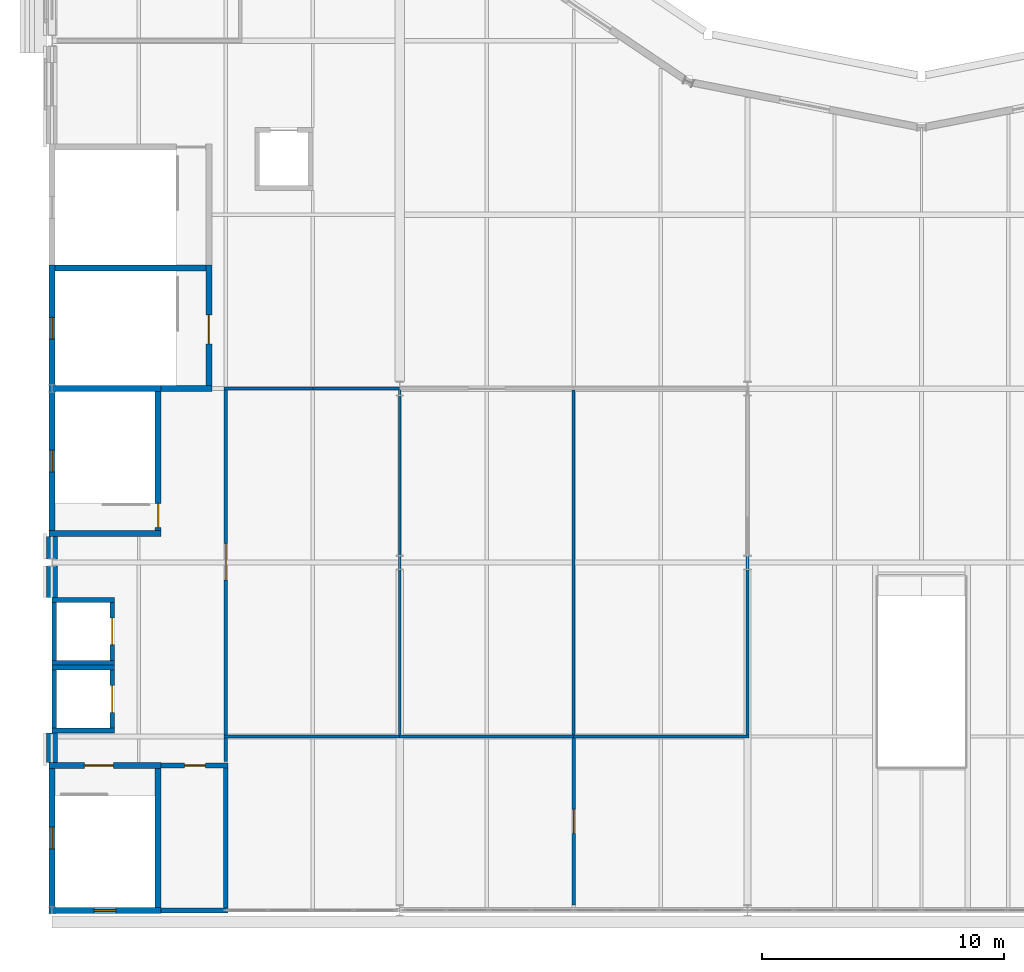
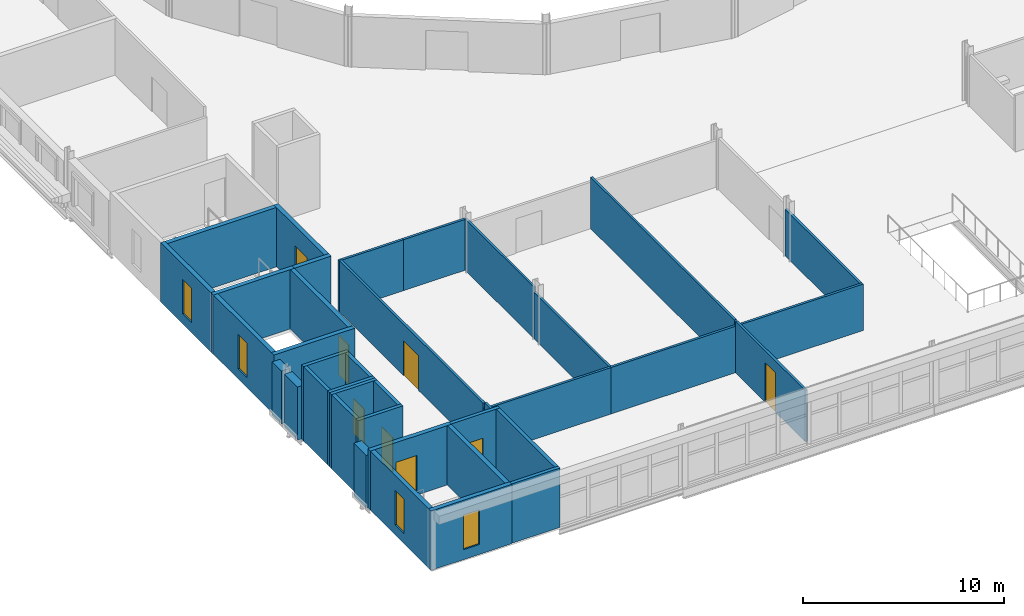
# One storey, part 87 of 142: 38 walls, 8 doors, 4 windows, 12 openings.
"""IFC4 building model written with IfcOpenShell, lengths in metres."""

from ifc_helpers import new_model, si_unit, direction, frame, frame_2d, origin, place, context, subcontext, project, spatial, rectangle, extrude, material, layer, layer_set, type_object, element, fill, save


model = new_model("IFC4")

# Units and contexts
model_context = context("Model", 3, precision=1e-05, world=origin(), true_north=direction((0.0, 1.0)))
body_context = subcontext(model_context, "Body", "Model", "MODEL_VIEW")
ifc_project = project(units=[si_unit("LENGTHUNIT", "METRE"), si_unit("AREAUNIT", "SQUARE_METRE"), si_unit("VOLUMEUNIT", "CUBIC_METRE"), si_unit("PLANEANGLEUNIT", "RADIAN"), si_unit("MASSUNIT", "GRAM", prefix="KILO")], contexts=[model_context])

# Site, building, storey
site_placement = place(None, origin())
site = spatial("IfcSite", under=ifc_project, at=site_placement, CompositionType="ELEMENT")
building_placement = place(site_placement, origin())
building = spatial("IfcBuilding", under=site, at=building_placement, Name="Kupolbacken Congress Centre", CompositionType="ELEMENT")
storey_placement = place(building_placement, frame((0.0, 0.0, 14.39990234375)))
storey = spatial("IfcBuildingStorey", under=building, at=storey_placement, Name="L04", CompositionType="ELEMENT", Elevation=14.39990234375)

# Walls
ifc_material_1 = material(Name="Concrete C40/50", Category="concrete")
ifc_layer_1 = layer(ifc_material_1, 0.1201171875)
ifc_material_2 = material(Name="Mineral wool", Category="insulation")
ifc_layer_2 = layer(ifc_material_2, 0.19189453125)
ifc_material_3 = material(Name="Air cavity", Category="air")
ifc_layer_3 = layer(ifc_material_3, 0.0400390625, ventilated=True)
ifc_material_4 = material(Name="Brick", Category="masonry")
ifc_layer_4 = layer(ifc_material_4, 0.10791015625)
ifc_layer_set_1 = layer_set([ifc_layer_1, ifc_layer_2, ifc_layer_3, ifc_layer_4], Name="Concrete C40/50 / Mineral wool / Brick")
wall_type_1 = type_object("IfcWallType", Name="EW06 external cavity wall 460", PredefinedType="SOLIDWALL", material=ifc_layer_set_1)
wall_1_placement = place(storey_placement, frame((7.199951171875, 44.27490234375, 0.0), z_axis=(0.0, 0.0, 1.0), x_axis=(0.0, -1.0, 0.0)))
element("IfcWall", 1, at=wall_1_placement, inside=storey, type_object=wall_type_1, Name="E/F/W/L04/424", PredefinedType="SOLIDWALL", context=body_context, shape_type="SweptSolid", body=[
    extrude(rectangle(XDim=0.9248046875, YDim=0.4599609375, at=frame_2d((0.46240234375, 0.0))), origin(), (0.0, 0.0, 1.0), 3.22021484375),
])
wall_2_placement = place(storey_placement, frame((7.199951171875, 43.050048828125, 0.0), z_axis=(0.0, 0.0, 1.0), x_axis=(0.0, -1.0, 0.0)))
element("IfcWall", 2, at=wall_2_placement, inside=storey, type_object=wall_type_1, Name="E/F/W/L04/425", PredefinedType="SOLIDWALL", context=body_context, shape_type="SweptSolid", body=[
    extrude(rectangle(XDim=1.300048828125, YDim=0.4599609375, at=frame_2d((0.64990234375, 0.0))), origin(), (0.0, 0.0, 1.0), 3.22021484375),
])
wall_3_placement = place(storey_placement, frame((7.199951171875, 36.14990234375, 0.0), z_axis=(0.0, 0.0, 1.0), x_axis=(0.0, -1.0, 0.0)))
element("IfcWall", 3, at=wall_3_placement, inside=storey, type_object=wall_type_1, Name="E/F/W/L04/426", PredefinedType="SOLIDWALL", context=body_context, shape_type="SweptSolid", body=[
    extrude(rectangle(XDim=1.224853515625, YDim=0.4599609375, at=frame_2d((0.6123046875, 0.0))), origin(), (0.0, 0.0, 1.0), 3.22021484375),
])
ifc_material_5 = material(Name="Operable acoustic wall panels", Category="metal")
ifc_layer_5 = layer(ifc_material_5, 0.1201171875)
ifc_layer_set_2 = layer_set([ifc_layer_5], Name="Operable acoustic wall panels")
wall_type_2 = type_object("IfcWallType", Name="MP2 movable partition 120", PredefinedType="MOVABLE", material=ifc_layer_set_2)
wall_4_placement = place(storey_placement, frame((21.60009765625, 50.33251953125, 0.0), z_axis=(0.0, 0.0, 1.0), x_axis=(0.0, -1.0, 0.0)))
element("IfcWall", 4, at=wall_4_placement, inside=storey, type_object=wall_type_2, Name="PD/L04/W019", PredefinedType="MOVABLE", context=body_context, shape_type="SweptSolid", body=[
    extrude(rectangle(XDim=6.83251953125, YDim=0.1201171875, at=frame_2d((3.416259765625, 0.0))), origin(), (0.0, 0.0, 1.0), 3.1201171875),
])
wall_5_placement = place(storey_placement, frame((28.800048828125, 50.33251953125, 0.0), z_axis=(0.0, 0.0, 1.0), x_axis=(0.0, -1.0, 0.0)))
element("IfcWall", 5, at=wall_5_placement, inside=storey, type_object=wall_type_2, Name="PD/L04/W022", PredefinedType="MOVABLE", context=body_context, shape_type="SweptSolid", body=[
    extrude(rectangle(XDim=14.26513671875, YDim=0.1201171875, at=frame_2d((7.132568359375, 0.0))), origin(), (0.0, 0.0, 1.0), 3.1201171875),
])
wall_6_placement = place(storey_placement, frame((21.60009765625, 43.5, 0.0), z_axis=(0.0, 0.0, 1.0), x_axis=(0.0, -1.0, 0.0)))
element("IfcWall", 6, at=wall_6_placement, inside=storey, type_object=wall_type_2, Name="PD/L04/W019.h1", PredefinedType="MOVABLE", context=body_context, shape_type="SweptSolid", body=[
    extrude(rectangle(XDim=7.4326171875, YDim=0.1201171875, at=frame_2d((3.71630859375, 0.0))), origin(), (0.0, 0.0, 1.0), 2.820068359375),
])

# Wall, opening, door
ifc_material_6 = material(Name="Gypsum board", Category="drywall")
ifc_layer_6 = layer(ifc_material_6, 0.135009765625)
ifc_layer_set_3 = layer_set([ifc_layer_6], Name="Gypsum board")
wall_type_3 = type_object("IfcWallType", Name="P06 compartment wall 135", PredefinedType="PARTITIONING", material=ifc_layer_set_3)
wall_7_placement = place(storey_placement, frame((14.39990234375, 50.33251953125, 0.0), z_axis=(0.0, 0.0, 1.0), x_axis=(0.0, -1.0, 0.0)))
wall_7 = element("IfcWall", 7, at=wall_7_placement, inside=storey, type_object=wall_type_3, Name="PD/L04/W001", PredefinedType="PARTITIONING", context=body_context, shape_type="SweptSolid", body=[
    extrude(rectangle(XDim=14.26513671875, YDim=0.135009765625, at=frame_2d((7.132568359375, 0.0))), origin(), (0.0, 0.0, 1.0), 3.1201171875),
])
opening_1_placement = place(wall_7_placement, frame((6.35009765625, 0.0, 0.0)))
opening_1 = element("IfcOpeningElement", 8, at=opening_1_placement, cuts=wall_7, Name="Opening 4.F07", PredefinedType="OPENING", context=body_context, shape_type="SweptSolid", body=[
    extrude(rectangle(XDim=1.5, YDim=2.10009765625, at=frame_2d((0.75, 1.050048828125))), frame((0.0, 0.077392578125, 0.0), z_axis=(0.0, -1.0, 0.0), x_axis=(1.0, 0.0, 0.0)), (0.0, 0.0, 1.0), 0.155029296875),
])
ifc_material_7 = material(Name="Steel fire door leaf", Category="steel")
door_type_1 = type_object("IfcDoorType", Name="D12 fire door 1500x2100", OperationType="DOUBLE_DOOR_SINGLE_SWING", PredefinedType="DOOR", material=ifc_material_7)
door_1_placement = place(opening_1_placement, frame((1.5, 0.0, 0.0), z_axis=(0.0, 0.0, 1.0), x_axis=(-1.0, 0.0, 0.0)))
door_1 = element("IfcDoor", 9, at=door_1_placement, inside=storey, type_object=door_type_1, Name="PD/L04/W001/D4F07", OperationType="DOUBLE_DOOR_SINGLE_SWING", OverallHeight=2.10009765625, OverallWidth=1.5, PredefinedType="DOOR", context=body_context, shape_type="SweptSolid", body=[
    extrude(rectangle(XDim=1.5, YDim=2.10009765625, at=frame_2d((0.75, 1.050048828125))), frame((0.0, 0.02490234375, 0.0), z_axis=(0.0, -1.0, 0.0), x_axis=(1.0, 0.0, 0.0)), (0.0, 0.0, 1.0), 0.050048828125),
])
fill(opening_1, door_1)

# Walls
wall_8_placement = place(storey_placement, frame((14.39990234375, 35.9326171875, 0.0), z_axis=(0.0, 0.0, 1.0), x_axis=(0.0, -1.0, 0.0)))
element("IfcWall", 10, at=wall_8_placement, inside=storey, type_object=wall_type_3, Name="PD/L04/W002", PredefinedType="PARTITIONING", context=body_context, shape_type="SweptSolid", body=[
    extrude(rectangle(XDim=0.97265625, YDim=0.135009765625, at=frame_2d((0.486328125, 0.0))), origin(), (0.0, 0.0, 1.0), 3.218994140625),
])
wall_9_placement = place(storey_placement, frame((18.0, 50.39990234375, 0.0), z_axis=(0.0, 0.0, 1.0), x_axis=(-1.0, 0.0, 0.0)))
element("IfcWall", 11, at=wall_9_placement, inside=storey, type_object=wall_type_3, Name="PD/L04/W005", PredefinedType="PARTITIONING", context=body_context, shape_type="SweptSolid", body=[
    extrude(rectangle(XDim=3.66748046875, YDim=0.135009765625, at=frame_2d((1.833740234375, 0.0))), origin(), (0.0, 0.0, 1.0), 3.090087890625),
])
wall_10_placement = place(storey_placement, frame((21.60009765625, 36.0, 0.0), z_axis=(0.0, 0.0, 1.0), x_axis=(-1.0, 0.0, 0.0)))
element("IfcWall", 12, at=wall_10_placement, inside=storey, type_object=wall_type_3, Name="PD/L04/W020", PredefinedType="PARTITIONING", context=body_context, shape_type="SweptSolid", body=[
    extrude(rectangle(XDim=7.267578125, YDim=0.135009765625, at=frame_2d((3.6337890625, 0.0))), origin(), (0.0, 0.0, 1.0), 2.820068359375),
])
wall_11_placement = place(storey_placement, frame((18.0, 50.39990234375, 0.0), z_axis=(0.0, 0.0, 1.0), x_axis=(1.0, 0.0, 0.0)))
element("IfcWall", 13, at=wall_11_placement, inside=storey, type_object=wall_type_3, Name="PD/L04/W021", PredefinedType="PARTITIONING", context=body_context, shape_type="SweptSolid", body=[
    extrude(rectangle(XDim=3.60009765625, YDim=0.135009765625, at=frame_2d((1.800048828125, 0.0))), origin(), (0.0, 0.0, 1.0), 3.090087890625),
])
wall_12_placement = place(storey_placement, frame((28.800048828125, 36.0, 0.0), z_axis=(0.0, 0.0, 1.0), x_axis=(-1.0, 0.0, 0.0)))
element("IfcWall", 14, at=wall_12_placement, inside=storey, type_object=wall_type_3, Name="PD/L04/W023", PredefinedType="PARTITIONING", context=body_context, shape_type="SweptSolid", body=[
    extrude(rectangle(XDim=7.199951171875, YDim=0.135009765625, at=frame_2d((3.60009765625, 0.0))), origin(), (0.0, 0.0, 1.0), 2.820068359375),
])
wall_13_placement = place(storey_placement, frame((36.0673828125, 36.0, 0.0), z_axis=(0.0, 0.0, 1.0), x_axis=(-1.0, 0.0, 0.0)))
element("IfcWall", 15, at=wall_13_placement, inside=storey, type_object=wall_type_3, Name="PD/L04/W026", PredefinedType="PARTITIONING", context=body_context, shape_type="SweptSolid", body=[
    extrude(rectangle(XDim=7.267333984375, YDim=0.135009765625, at=frame_2d((3.6337890625, 0.0))), origin(), (0.0, 0.0, 1.0), 2.820068359375),
])

# Wall, opening, door
wall_14_placement = place(storey_placement, frame((28.800048828125, 35.9326171875, 0.0), z_axis=(0.0, 0.0, 1.0), x_axis=(0.0, -1.0, 0.0)))
wall_14 = element("IfcWall", 16, at=wall_14_placement, inside=storey, type_object=wall_type_3, Name="PD/L04/W046", PredefinedType="PARTITIONING", context=body_context, shape_type="SweptSolid", body=[
    extrude(rectangle(XDim=6.902587890625, YDim=0.135009765625, at=frame_2d((3.451171875, 0.0))), origin(), (0.0, 0.0, 1.0), 3.1201171875),
])
opening_2_placement = place(wall_14_placement, frame((2.949951171875, 0.0, 0.0)))
opening_2 = element("IfcOpeningElement", 17, at=opening_2_placement, cuts=wall_14, Name="Opening 4.F16", PredefinedType="OPENING", context=body_context, shape_type="SweptSolid", body=[
    extrude(rectangle(XDim=1.0, YDim=2.39990234375, at=frame_2d((0.5, 1.199951171875))), frame((0.0, 0.077392578125, 0.0), z_axis=(0.0, -1.0, 0.0), x_axis=(1.0, 0.0, 0.0)), (0.0, 0.0, 1.0), 0.155029296875),
])
ifc_material_8 = material(Name="Steel fire door leaf", Category="steel")
door_type_2 = type_object("IfcDoorType", Name="D8 fire door 1000x2400", OperationType="SINGLE_SWING_LEFT", PredefinedType="DOOR", material=ifc_material_8)
door_2_placement = place(opening_2_placement, frame((1.0, 0.0, 0.0), z_axis=(0.0, 0.0, 1.0), x_axis=(-1.0, 0.0, 0.0)))
door_2 = element("IfcDoor", 18, at=door_2_placement, inside=storey, type_object=door_type_2, Name="PD/L04/W046/D4F16", OperationType="SINGLE_SWING_LEFT", OverallHeight=2.39990234375, OverallWidth=1.0, PredefinedType="DOOR", context=body_context, shape_type="SweptSolid", body=[
    extrude(rectangle(XDim=1.0, YDim=2.39990234375, at=frame_2d((0.5, 1.199951171875))), frame((0.0, 0.02490234375, 0.0), z_axis=(0.0, -1.0, 0.0), x_axis=(1.0, 0.0, 0.0)), (0.0, 0.0, 1.0), 0.050048828125),
])
fill(opening_2, door_2)

# Walls
wall_15_placement = place(storey_placement, frame((36.0, 43.5, 0.0), z_axis=(0.0, 0.0, 1.0), x_axis=(0.0, -1.0, 0.0)))
element("IfcWall", 19, at=wall_15_placement, inside=storey, type_object=wall_type_3, Name="PD/L04/W025.h1", PredefinedType="PARTITIONING", context=body_context, shape_type="SweptSolid", body=[
    extrude(rectangle(XDim=7.4326171875, YDim=0.135009765625, at=frame_2d((3.71630859375, 0.0))), origin(), (0.0, 0.0, 1.0), 2.820068359375),
])
ifc_material_9 = material(Name="Concrete C40/50", Category="concrete")
ifc_layer_7 = layer(ifc_material_9, 0.199951171875)
ifc_layer_set_4 = layer_set([ifc_layer_7], Name="Concrete C40/50")
wall_type_4 = type_object("IfcWallType", Name="WC1 RC shaft wall 200", PredefinedType="SHEAR", material=ifc_layer_set_4)
wall_16_placement = place(storey_placement, frame((11.72509765625, 28.800048828125, 0.0), z_axis=(0.0, 0.0, 1.0), x_axis=(1.0, 0.0, 0.0)))
element("IfcWall", 20, at=wall_16_placement, inside=storey, type_object=wall_type_4, Name="Shaft wall L04-001", PredefinedType="SHEAR", context=body_context, shape_type="SweptSolid", body=[
    extrude(rectangle(XDim=2.77490234375, YDim=0.199951171875, at=frame_2d((1.387451171875, 0.0))), origin(), (0.0, 0.0, 1.0), 3.60009765625),
])
wall_17_placement = place(storey_placement, frame((14.39990234375, 28.699951171875, 0.0), z_axis=(0.0, 0.0, 1.0), x_axis=(0.0, 1.0, 0.0)))
element("IfcWall", 21, at=wall_17_placement, inside=storey, type_object=wall_type_4, Name="Shaft wall L04-003", PredefinedType="SHEAR", context=body_context, shape_type="SweptSolid", body=[
    extrude(rectangle(XDim=6.199951171875, YDim=0.199951171875, at=frame_2d((3.10009765625, 0.0))), origin(), (0.0, 0.0, 1.0), 3.60009765625),
])

# Wall, opening, door
wall_18_placement = place(storey_placement, frame((14.5, 34.800048828125, 0.0), z_axis=(0.0, 0.0, 1.0), x_axis=(-1.0, 0.0, 0.0)))
wall_18 = element("IfcWall", 22, at=wall_18_placement, inside=storey, type_object=wall_type_4, Name="Shaft wall L04-009", PredefinedType="SHEAR", context=body_context, shape_type="SweptSolid", body=[
    extrude(rectangle(XDim=2.77490234375, YDim=0.199951171875, at=frame_2d((1.387451171875, 0.0))), origin(), (0.0, 0.0, 1.0), 3.60009765625),
])
opening_3_placement = place(wall_18_placement, frame((0.949951171875, 0.0, 0.0)))
opening_3 = element("IfcOpeningElement", 23, at=opening_3_placement, cuts=wall_18, Name="Opening 4.F03", PredefinedType="OPENING", context=body_context, shape_type="SweptSolid", body=[
    extrude(rectangle(XDim=0.85009765625, YDim=2.10009765625, at=frame_2d((0.425048828125, 1.050048828125))), frame((0.0, 0.10986328125, 0.0), z_axis=(0.0, -1.0, 0.0), x_axis=(1.0, 0.0, 0.0)), (0.0, 0.0, 1.0), 0.219970703125),
])
ifc_material_10 = material(Name="Steel fire door leaf", Category="steel")
door_type_3 = type_object("IfcDoorType", Name="D3 fire door 850x2100", OperationType="SINGLE_SWING_LEFT", PredefinedType="DOOR", material=ifc_material_10)
door_3_placement = place(opening_3_placement, frame((0.85009765625, 0.0, 0.0), z_axis=(0.0, 0.0, 1.0), x_axis=(-1.0, 0.0, 0.0)))
door_3 = element("IfcDoor", 24, at=door_3_placement, inside=storey, type_object=door_type_3, Name="S/core/L04/009/D4F03", OperationType="SINGLE_SWING_LEFT", OverallHeight=2.10009765625, OverallWidth=0.85009765625, PredefinedType="DOOR", context=body_context, shape_type="SweptSolid", body=[
    extrude(rectangle(XDim=0.85009765625, YDim=2.10009765625, at=frame_2d((0.425048828125, 1.050048828125))), frame((0.0, 0.02490234375, 0.0), z_axis=(0.0, -1.0, 0.0), x_axis=(1.0, 0.0, 0.0)), (0.0, 0.0, 1.0), 0.050048828125),
])
fill(opening_3, door_3)

# Walls
for number, where, z_axis, x_axis, name in (
    (25, (7.199951171875, 36.25, 0.0), (0.0, 0.0, 1.0), (1.0, 0.0, 0.0), "Shaft wall LP1"),
    (26, (7.199951171875, 38.85009765625, 0.0), (0.0, 0.0, 1.0), (1.0, 0.0, 0.0), "Shaft wall LP1"),
):
    element("IfcWall", number, at=place(storey_placement, frame(where, z_axis=z_axis, x_axis=x_axis)), inside=storey, type_object=wall_type_4, Name=name, PredefinedType="SHEAR", context=body_context, shape_type="SweptSolid", body=[
        extrude(rectangle(XDim=2.60009765625, YDim=0.199951171875, at=frame_2d((1.300048828125, 0.0))), origin(), (0.0, 0.0, 1.0), 4.5),
    ])
wall_19_placement = place(storey_placement, frame((7.300048828125, 36.35009765625, 0.0), z_axis=(0.0, 0.0, 1.0), x_axis=(0.0, 1.0, 0.0)))
element("IfcWall", 27, at=wall_19_placement, inside=storey, type_object=wall_type_4, Name="Shaft wall LP1", PredefinedType="SHEAR", context=body_context, shape_type="SweptSolid", body=[
    extrude(rectangle(XDim=2.39990234375, YDim=0.199951171875, at=frame_2d((1.199951171875, 0.0))), origin(), (0.0, 0.0, 1.0), 4.5),
])

# Wall, opening, door
wall_20_placement = place(storey_placement, frame((9.699951171875, 36.35009765625, 0.0), z_axis=(0.0, 0.0, 1.0), x_axis=(0.0, 1.0, 0.0)))
wall_20 = element("IfcWall", 28, at=wall_20_placement, inside=storey, type_object=wall_type_4, Name="Shaft wall LP1", PredefinedType="SHEAR", context=body_context, shape_type="SweptSolid", body=[
    extrude(rectangle(XDim=2.39990234375, YDim=0.199951171875, at=frame_2d((1.199951171875, 0.0))), origin(), (0.0, 0.0, 1.0), 4.5),
])
opening_4_placement = place(wall_20_placement, frame((0.64990234375, 0.0, 0.0)))
opening_4 = element("IfcOpeningElement", 29, at=opening_4_placement, cuts=wall_20, Name="Opening LD2", PredefinedType="OPENING", context=body_context, shape_type="SweptSolid", body=[
    extrude(rectangle(XDim=1.10009765625, YDim=2.10009765625, at=frame_2d((0.550048828125, 1.050048828125))), frame((0.0, 0.10986328125, 0.0), z_axis=(0.0, -1.0, 0.0), x_axis=(1.0, 0.0, 0.0)), (0.0, 0.0, 1.0), 0.219970703125),
])
ifc_material_11 = material(Name="Stainless steel door leaf", Category="steel")
door_type_4 = type_object("IfcDoorType", Name="LD2 lift landing door 1100x2100", OperationType="SLIDING_TO_LEFT", PredefinedType="DOOR", material=ifc_material_11)
door_4_placement = place(opening_4_placement, origin())
door_4 = element("IfcDoor", 30, at=door_4_placement, inside=storey, type_object=door_type_4, Name="Lift landing door LP1", OperationType="SLIDING_TO_LEFT", OverallHeight=2.10009765625, OverallWidth=1.10009765625, PredefinedType="DOOR", context=body_context, shape_type="SweptSolid", body=[
    extrude(rectangle(XDim=1.10009765625, YDim=2.10009765625, at=frame_2d((0.550048828125, 1.050048828125))), frame((0.0, 0.02490234375, 0.0), z_axis=(0.0, -1.0, 0.0), x_axis=(1.0, 0.0, 0.0)), (0.0, 0.0, 1.0), 0.050048828125),
])
fill(opening_4, door_4)

# Walls
for number, where, z_axis, x_axis, name in (
    (31, (7.199951171875, 39.050048828125, 0.0), (0.0, 0.0, 1.0), (1.0, 0.0, 0.0), "Shaft wall LP2"),
    (32, (7.199951171875, 41.64990234375, 0.0), (0.0, 0.0, 1.0), (1.0, 0.0, 0.0), "Shaft wall LP2"),
):
    element("IfcWall", number, at=place(storey_placement, frame(where, z_axis=z_axis, x_axis=x_axis)), inside=storey, type_object=wall_type_4, Name=name, PredefinedType="SHEAR", context=body_context, shape_type="SweptSolid", body=[
        extrude(rectangle(XDim=2.60009765625, YDim=0.199951171875, at=frame_2d((1.300048828125, 0.0))), origin(), (0.0, 0.0, 1.0), 4.5),
    ])
wall_21_placement = place(storey_placement, frame((7.300048828125, 39.14990234375, 0.0), z_axis=(0.0, 0.0, 1.0), x_axis=(0.0, 1.0, 0.0)))
element("IfcWall", 33, at=wall_21_placement, inside=storey, type_object=wall_type_4, Name="Shaft wall LP2", PredefinedType="SHEAR", context=body_context, shape_type="SweptSolid", body=[
    extrude(rectangle(XDim=2.400146484375, YDim=0.199951171875, at=frame_2d((1.2001953125, 0.0))), origin(), (0.0, 0.0, 1.0), 4.5),
])

# Wall, opening, door
wall_22_placement = place(storey_placement, frame((9.699951171875, 39.14990234375, 0.0), z_axis=(0.0, 0.0, 1.0), x_axis=(0.0, 1.0, 0.0)))
wall_22 = element("IfcWall", 34, at=wall_22_placement, inside=storey, type_object=wall_type_4, Name="Shaft wall LP2", PredefinedType="SHEAR", context=body_context, shape_type="SweptSolid", body=[
    extrude(rectangle(XDim=2.400146484375, YDim=0.199951171875, at=frame_2d((1.2001953125, 0.0))), origin(), (0.0, 0.0, 1.0), 4.5),
])
opening_5_placement = place(wall_22_placement, frame((0.64990234375, 0.0, 0.0)))
opening_5 = element("IfcOpeningElement", 35, at=opening_5_placement, cuts=wall_22, Name="Opening LD2", PredefinedType="OPENING", context=body_context, shape_type="SweptSolid", body=[
    extrude(rectangle(XDim=1.10009765625, YDim=2.10009765625, at=frame_2d((0.550048828125, 1.050048828125))), frame((0.0, 0.10986328125, 0.0), z_axis=(0.0, -1.0, 0.0), x_axis=(1.0, 0.0, 0.0)), (0.0, 0.0, 1.0), 0.219970703125),
])
door_5_placement = place(opening_5_placement, origin())
door_5 = element("IfcDoor", 36, at=door_5_placement, inside=storey, type_object=door_type_4, Name="Lift landing door LP2", OperationType="SLIDING_TO_LEFT", OverallHeight=2.10009765625, OverallWidth=1.10009765625, PredefinedType="DOOR", context=body_context, shape_type="SweptSolid", body=[
    extrude(rectangle(XDim=1.10009765625, YDim=2.10009765625, at=frame_2d((0.550048828125, 1.050048828125))), frame((0.0, 0.02490234375, 0.0), z_axis=(0.0, -1.0, 0.0), x_axis=(1.0, 0.0, 0.0)), (0.0, 0.0, 1.0), 0.050048828125),
])
fill(opening_5, door_5)

# Wall, opening, window
ifc_material_12 = material(Name="Concrete C40/50", Category="concrete")
ifc_layer_8 = layer(ifc_material_12, 0.25)
ifc_layer_set_5 = layer_set([ifc_layer_8], Name="Concrete C40/50")
wall_type_5 = type_object("IfcWallType", Name="WC2 RC stair enclosure wall 250", PredefinedType="SHEAR", material=ifc_layer_set_5)
wall_23_placement = place(storey_placement, frame((7.074951171875, 28.800048828125, 0.0), z_axis=(0.0, 0.0, 1.0), x_axis=(1.0, 0.0, 0.0)))
wall_23 = element("IfcWall", 37, at=wall_23_placement, inside=storey, type_object=wall_type_5, Name="Stair enclosure wall L04-000", PredefinedType="SHEAR", context=body_context, shape_type="SweptSolid", body=[
    extrude(rectangle(XDim=4.650146484375, YDim=0.25, at=frame_2d((2.3251953125, 0.0))), origin(), (0.0, 0.0, 1.0), 3.60009765625),
])
opening_6_placement = place(wall_23_placement, frame((1.875, 0.0, 0.60009765625)))
opening_6 = element("IfcOpeningElement", 38, at=opening_6_placement, cuts=wall_23, Name="Opening W28", PredefinedType="OPENING", context=body_context, shape_type="SweptSolid", body=[
    extrude(rectangle(XDim=0.89990234375, YDim=2.10009765625, at=frame_2d((0.449951171875, 1.050048828125))), frame((0.0, 0.135009765625, 0.0), z_axis=(0.0, -1.0, 0.0), x_axis=(1.0, 0.0, 0.0)), (0.0, 0.0, 1.0), 0.27001953125),
])
ifc_material_13 = material(Name="Aluminium frame with double or triple glazing", Category="aluminium")
window_type = type_object("IfcWindowType", Name="W28 window 900x2100", PartitioningType="SINGLE_PANEL", PredefinedType="WINDOW", material=ifc_material_13)
window_1_placement = place(opening_6_placement, origin())
window_1 = element("IfcWindow", 39, at=window_1_placement, inside=storey, type_object=window_type, Name="S/core/L04/000/W1/L04", OverallHeight=2.10009765625, OverallWidth=0.89990234375, PartitioningType="SINGLE_PANEL", PredefinedType="WINDOW", context=body_context, shape_type="SweptSolid", body=[
    extrude(rectangle(XDim=0.89990234375, YDim=2.10009765625, at=frame_2d((0.449951171875, 1.050048828125))), frame((0.0, 0.030029296875, 0.0), z_axis=(0.0, -1.0, 0.0), x_axis=(1.0, 0.0, 0.0)), (0.0, 0.0, 1.0), 0.06005859375),
])
fill(opening_6, window_1)

# Wall
wall_24_placement = place(storey_placement, frame((11.60009765625, 28.675048828125, 0.0), z_axis=(0.0, 0.0, 1.0), x_axis=(0.0, 1.0, 0.0)))
element("IfcWall", 40, at=wall_24_placement, inside=storey, type_object=wall_type_5, Name="Stair enclosure wall L04-002", PredefinedType="SHEAR", context=body_context, shape_type="SweptSolid", body=[
    extrude(rectangle(XDim=6.25, YDim=0.25, at=frame_2d((3.125, 0.0))), origin(), (0.0, 0.0, 1.0), 3.60009765625),
])

# Wall, opening, window
wall_25_placement = place(storey_placement, frame((7.199951171875, 34.925048828125, 0.0), z_axis=(0.0, 0.0, 1.0), x_axis=(0.0, -1.0, 0.0)))
wall_25 = element("IfcWall", 41, at=wall_25_placement, inside=storey, type_object=wall_type_5, Name="Stair enclosure wall L04-007", PredefinedType="SHEAR", context=body_context, shape_type="SweptSolid", body=[
    extrude(rectangle(XDim=6.25, YDim=0.25, at=frame_2d((3.125, 0.0))), origin(), (0.0, 0.0, 1.0), 3.60009765625),
])
opening_7_placement = place(wall_25_placement, frame((2.675048828125, 0.0, 0.60009765625)))
opening_7 = element("IfcOpeningElement", 42, at=opening_7_placement, cuts=wall_25, Name="Opening W28", PredefinedType="OPENING", context=body_context, shape_type="SweptSolid", body=[
    extrude(rectangle(XDim=0.89990234375, YDim=2.10009765625, at=frame_2d((0.449951171875, 1.050048828125))), frame((0.0, 0.135009765625, 0.0), z_axis=(0.0, -1.0, 0.0), x_axis=(1.0, 0.0, 0.0)), (0.0, 0.0, 1.0), 0.27001953125),
])
window_2_placement = place(opening_7_placement, origin())
window_2 = element("IfcWindow", 43, at=window_2_placement, inside=storey, type_object=window_type, Name="S/core/L04/007/W1/L04", OverallHeight=2.10009765625, OverallWidth=0.89990234375, PartitioningType="SINGLE_PANEL", PredefinedType="WINDOW", context=body_context, shape_type="SweptSolid", body=[
    extrude(rectangle(XDim=0.89990234375, YDim=2.10009765625, at=frame_2d((0.449951171875, 1.050048828125))), frame((0.0, 0.030029296875, 0.0), z_axis=(0.0, -1.0, 0.0), x_axis=(1.0, 0.0, 0.0)), (0.0, 0.0, 1.0), 0.06005859375),
])
fill(opening_7, window_2)

# Wall, opening, door
wall_26_placement = place(storey_placement, frame((11.72509765625, 34.800048828125, 0.0), z_axis=(0.0, 0.0, 1.0), x_axis=(-1.0, 0.0, 0.0)))
wall_26 = element("IfcWall", 44, at=wall_26_placement, inside=storey, type_object=wall_type_5, Name="Stair enclosure wall L04-008", PredefinedType="SHEAR", context=body_context, shape_type="SweptSolid", body=[
    extrude(rectangle(XDim=4.650146484375, YDim=0.25, at=frame_2d((2.3251953125, 0.0))), origin(), (0.0, 0.0, 1.0), 3.60009765625),
])
opening_8_placement = place(wall_26_placement, frame((1.97509765625, 0.0, 0.0)))
opening_8 = element("IfcOpeningElement", 45, at=opening_8_placement, cuts=wall_26, Name="Opening 4.F01", PredefinedType="OPENING", context=body_context, shape_type="SweptSolid", body=[
    extrude(rectangle(XDim=1.199951171875, YDim=2.39990234375, at=frame_2d((0.60009765625, 1.199951171875))), frame((0.0, 0.135009765625, 0.0), z_axis=(0.0, -1.0, 0.0), x_axis=(1.0, 0.0, 0.0)), (0.0, 0.0, 1.0), 0.27001953125),
])
ifc_material_14 = material(Name="Steel fire door leaf", Category="steel")
door_type_5 = type_object("IfcDoorType", Name="D9 fire door 1200x2400", OperationType="SINGLE_SWING_LEFT", PredefinedType="DOOR", material=ifc_material_14)
door_6_placement = place(opening_8_placement, origin())
door_6 = element("IfcDoor", 46, at=door_6_placement, inside=storey, type_object=door_type_5, Name="S/core/L04/008/D4F01", OperationType="SINGLE_SWING_LEFT", OverallHeight=2.39990234375, OverallWidth=1.199951171875, PredefinedType="DOOR", context=body_context, shape_type="SweptSolid", body=[
    extrude(rectangle(XDim=1.199951171875, YDim=2.39990234375, at=frame_2d((0.60009765625, 1.199951171875))), frame((0.0, 0.02490234375, 0.0), z_axis=(0.0, -1.0, 0.0), x_axis=(1.0, 0.0, 0.0)), (0.0, 0.0, 1.0), 0.050048828125),
])
fill(opening_8, door_6)

# Wall
wall_27_placement = place(storey_placement, frame((7.074951171875, 44.39990234375, 0.0), z_axis=(0.0, 0.0, 1.0), x_axis=(1.0, 0.0, 0.0)))
element("IfcWall", 47, at=wall_27_placement, inside=storey, type_object=wall_type_5, Name="Stair enclosure wall L04-014", PredefinedType="SHEAR", context=body_context, shape_type="SweptSolid", body=[
    extrude(rectangle(XDim=4.650146484375, YDim=0.25, at=frame_2d((2.3251953125, 0.0))), origin(), (0.0, 0.0, 1.0), 3.60009765625),
])

# Wall, opening, door
wall_28_placement = place(storey_placement, frame((11.60009765625, 44.27490234375, 0.0), z_axis=(0.0, 0.0, 1.0), x_axis=(0.0, 1.0, 0.0)))
wall_28 = element("IfcWall", 48, at=wall_28_placement, inside=storey, type_object=wall_type_5, Name="Stair enclosure wall L04-015", PredefinedType="SHEAR", context=body_context, shape_type="SweptSolid", body=[
    extrude(rectangle(XDim=6.25, YDim=0.25, at=frame_2d((3.125, 0.0))), origin(), (0.0, 0.0, 1.0), 3.60009765625),
])
opening_9_placement = place(wall_28_placement, frame((0.375, 0.0, 0.0)))
opening_9 = element("IfcOpeningElement", 49, at=opening_9_placement, cuts=wall_28, Name="Opening 4.F02", PredefinedType="OPENING", context=body_context, shape_type="SweptSolid", body=[
    extrude(rectangle(XDim=1.0, YDim=2.39990234375, at=frame_2d((0.5, 1.199951171875))), frame((0.0, 0.135009765625, 0.0), z_axis=(0.0, -1.0, 0.0), x_axis=(1.0, 0.0, 0.0)), (0.0, 0.0, 1.0), 0.27001953125),
])
door_7_placement = place(opening_9_placement, origin())
door_7 = element("IfcDoor", 50, at=door_7_placement, inside=storey, type_object=door_type_2, Name="S/core/L04/015/D4F02", OperationType="SINGLE_SWING_RIGHT", OverallHeight=2.39990234375, OverallWidth=1.0, PredefinedType="DOOR", context=body_context, shape_type="SweptSolid", body=[
    extrude(rectangle(XDim=1.0, YDim=2.39990234375, at=frame_2d((0.5, 1.199951171875))), frame((0.0, 0.02490234375, 0.0), z_axis=(0.0, -1.0, 0.0), x_axis=(1.0, 0.0, 0.0)), (0.0, 0.0, 1.0), 0.050048828125),
])
fill(opening_9, door_7)

# Wall, opening, window
wall_29_placement = place(storey_placement, frame((7.199951171875, 50.52490234375, 0.0), z_axis=(0.0, 0.0, 1.0), x_axis=(0.0, -1.0, 0.0)))
wall_29 = element("IfcWall", 51, at=wall_29_placement, inside=storey, type_object=wall_type_5, Name="Stair enclosure wall L04-023", PredefinedType="SHEAR", context=body_context, shape_type="SweptSolid", body=[
    extrude(rectangle(XDim=6.25, YDim=0.25, at=frame_2d((3.125, 0.0))), origin(), (0.0, 0.0, 1.0), 3.60009765625),
])
opening_10_placement = place(wall_29_placement, frame((2.675048828125, 0.0, 0.60009765625)))
opening_10 = element("IfcOpeningElement", 52, at=opening_10_placement, cuts=wall_29, Name="Opening W28", PredefinedType="OPENING", context=body_context, shape_type="SweptSolid", body=[
    extrude(rectangle(XDim=0.89990234375, YDim=2.10009765625, at=frame_2d((0.449951171875, 1.050048828125))), frame((0.0, 0.135009765625, 0.0), z_axis=(0.0, -1.0, 0.0), x_axis=(1.0, 0.0, 0.0)), (0.0, 0.0, 1.0), 0.27001953125),
])
window_3_placement = place(opening_10_placement, origin())
window_3 = element("IfcWindow", 53, at=window_3_placement, inside=storey, type_object=window_type, Name="S/core/L04/023/W1/L04", OverallHeight=2.10009765625, OverallWidth=0.89990234375, PartitioningType="SINGLE_PANEL", PredefinedType="WINDOW", context=body_context, shape_type="SweptSolid", body=[
    extrude(rectangle(XDim=0.89990234375, YDim=2.10009765625, at=frame_2d((0.449951171875, 1.050048828125))), frame((0.0, 0.030029296875, 0.0), z_axis=(0.0, -1.0, 0.0), x_axis=(1.0, 0.0, 0.0)), (0.0, 0.0, 1.0), 0.06005859375),
])
fill(opening_10, window_3)

# Walls
wall_30_placement = place(storey_placement, frame((11.72509765625, 50.39990234375, 0.0), z_axis=(0.0, 0.0, 1.0), x_axis=(-1.0, 0.0, 0.0)))
element("IfcWall", 54, at=wall_30_placement, inside=storey, type_object=wall_type_5, Name="Stair enclosure wall L04-024", PredefinedType="SHEAR", context=body_context, shape_type="SweptSolid", body=[
    extrude(rectangle(XDim=4.650146484375, YDim=0.25, at=frame_2d((2.3251953125, 0.0))), origin(), (0.0, 0.0, 1.0), 3.60009765625),
])
wall_31_placement = place(storey_placement, frame((11.72509765625, 50.39990234375, 0.0), z_axis=(0.0, 0.0, 1.0), x_axis=(1.0, 0.0, 0.0)))
element("IfcWall", 55, at=wall_31_placement, inside=storey, type_object=wall_type_5, Name="Stair enclosure wall L04-025", PredefinedType="SHEAR", context=body_context, shape_type="SweptSolid", body=[
    extrude(rectangle(XDim=2.099853515625, YDim=0.25, at=frame_2d((1.0498046875, 0.0))), origin(), (0.0, 0.0, 1.0), 3.60009765625),
])

# Wall, opening, door
wall_32_placement = place(storey_placement, frame((13.699951171875, 50.27490234375, 0.0), z_axis=(0.0, 0.0, 1.0), x_axis=(0.0, 1.0, 0.0)))
wall_32 = element("IfcWall", 56, at=wall_32_placement, inside=storey, type_object=wall_type_5, Name="Stair enclosure wall L04-026", PredefinedType="SHEAR", context=body_context, shape_type="SweptSolid", body=[
    extrude(rectangle(XDim=5.25, YDim=0.25, at=frame_2d((2.625, 0.0))), origin(), (0.0, 0.0, 1.0), 3.60009765625),
])
opening_11_placement = place(wall_32_placement, frame((1.97509765625, 0.0, 0.0)))
opening_11 = element("IfcOpeningElement", 57, at=opening_11_placement, cuts=wall_32, Name="Opening 4.P01", PredefinedType="OPENING", context=body_context, shape_type="SweptSolid", body=[
    extrude(rectangle(XDim=1.199951171875, YDim=2.39990234375, at=frame_2d((0.60009765625, 1.199951171875))), frame((0.0, 0.135009765625, 0.0), z_axis=(0.0, -1.0, 0.0), x_axis=(1.0, 0.0, 0.0)), (0.0, 0.0, 1.0), 0.27001953125),
])
door_8_placement = place(opening_11_placement, origin())
door_8 = element("IfcDoor", 58, at=door_8_placement, inside=storey, type_object=door_type_5, Name="S/core/L04/026/D4P01", OperationType="SINGLE_SWING_RIGHT", OverallHeight=2.39990234375, OverallWidth=1.199951171875, PredefinedType="DOOR", context=body_context, shape_type="SweptSolid", body=[
    extrude(rectangle(XDim=1.199951171875, YDim=2.39990234375, at=frame_2d((0.60009765625, 1.199951171875))), frame((0.0, 0.02490234375, 0.0), z_axis=(0.0, -1.0, 0.0), x_axis=(1.0, 0.0, 0.0)), (0.0, 0.0, 1.0), 0.050048828125),
])
fill(opening_11, door_8)

# Wall, opening, window
wall_33_placement = place(storey_placement, frame((7.199951171875, 55.52490234375, 0.0), z_axis=(0.0, 0.0, 1.0), x_axis=(0.0, -1.0, 0.0)))
wall_33 = element("IfcWall", 59, at=wall_33_placement, inside=storey, type_object=wall_type_5, Name="Stair enclosure wall L04-034", PredefinedType="SHEAR", context=body_context, shape_type="SweptSolid", body=[
    extrude(rectangle(XDim=5.0, YDim=0.25, at=frame_2d((2.5, 0.0))), origin(), (0.0, 0.0, 1.0), 3.60009765625),
])
opening_12_placement = place(wall_33_placement, frame((2.175048828125, 0.0, 0.60009765625)))
opening_12 = element("IfcOpeningElement", 60, at=opening_12_placement, cuts=wall_33, Name="Opening W28", PredefinedType="OPENING", context=body_context, shape_type="SweptSolid", body=[
    extrude(rectangle(XDim=0.89990234375, YDim=2.10009765625, at=frame_2d((0.449951171875, 1.050048828125))), frame((0.0, 0.135009765625, 0.0), z_axis=(0.0, -1.0, 0.0), x_axis=(1.0, 0.0, 0.0)), (0.0, 0.0, 1.0), 0.27001953125),
])
window_4_placement = place(opening_12_placement, origin())
window_4 = element("IfcWindow", 61, at=window_4_placement, inside=storey, type_object=window_type, Name="S/core/L04/034/W1/L04", OverallHeight=2.10009765625, OverallWidth=0.89990234375, PartitioningType="SINGLE_PANEL", PredefinedType="WINDOW", context=body_context, shape_type="SweptSolid", body=[
    extrude(rectangle(XDim=0.89990234375, YDim=2.10009765625, at=frame_2d((0.449951171875, 1.050048828125))), frame((0.0, 0.030029296875, 0.0), z_axis=(0.0, -1.0, 0.0), x_axis=(1.0, 0.0, 0.0)), (0.0, 0.0, 1.0), 0.06005859375),
])
fill(opening_12, window_4)

# Wall
wall_34_placement = place(storey_placement, frame((13.824951171875, 55.39990234375, 0.0), z_axis=(0.0, 0.0, 1.0), x_axis=(-1.0, 0.0, 0.0)))
element("IfcWall", 62, at=wall_34_placement, inside=storey, type_object=wall_type_5, Name="Stair enclosure wall L04-035", PredefinedType="SHEAR", context=body_context, shape_type="SweptSolid", body=[
    extrude(rectangle(XDim=6.75, YDim=0.25, at=frame_2d((3.375, 0.0))), origin(), (0.0, 0.0, 1.0), 3.60009765625),
])

save(model, "model.ifc")
